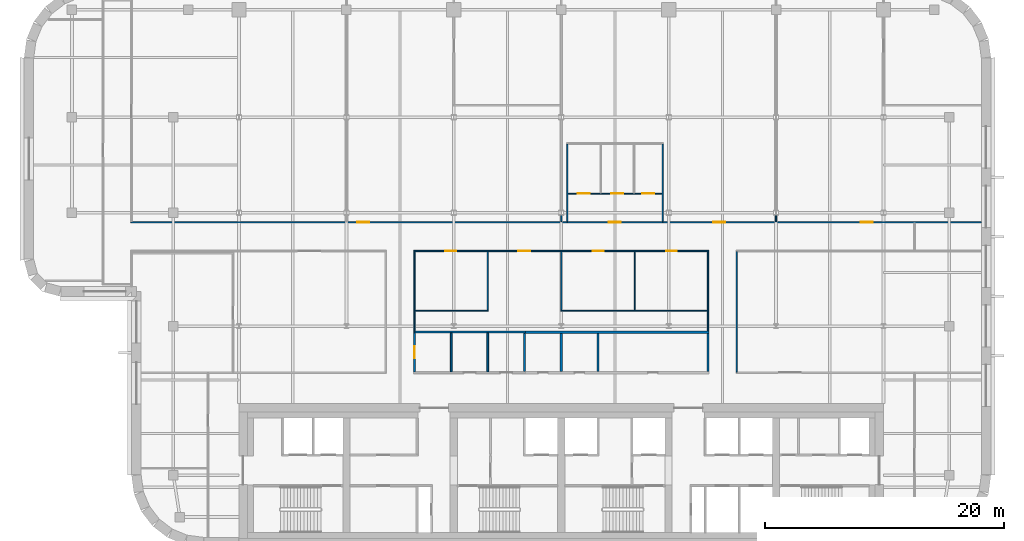
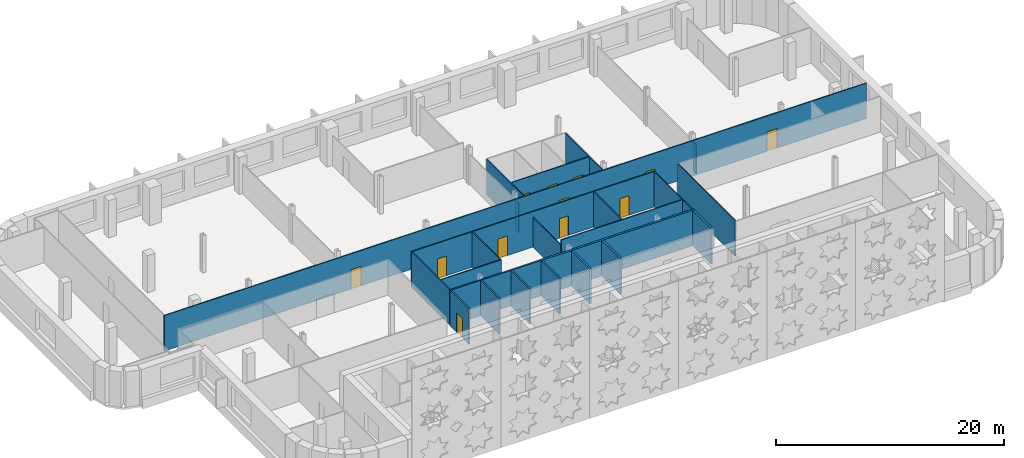
# One storey, part 9 of 17: 24 walls, 12 doors, 12 openings.
"""IFC4 building model written with IfcOpenShell, lengths in metres."""

from ifc_helpers import new_model, si_unit, direction, frame, frame_2d, origin, place, context, subcontext, project, spatial, rectangle, extrude, material, layer, layer_set, type_object, element, fill, save


model = new_model("IFC4")

# Units and contexts
model_context = context("Model", 3, precision=1e-05, world=origin(), true_north=direction((0.0, 1.0)))
body_context = subcontext(model_context, "Body", "Model", "MODEL_VIEW")
ifc_project = project(units=[si_unit("LENGTHUNIT", "METRE"), si_unit("AREAUNIT", "SQUARE_METRE"), si_unit("VOLUMEUNIT", "CUBIC_METRE"), si_unit("PLANEANGLEUNIT", "RADIAN"), si_unit("MASSUNIT", "GRAM", prefix="KILO")], contexts=[model_context])

# Site, building, storey
site_placement = place(None, origin())
site = spatial("IfcSite", under=ifc_project, at=site_placement, CompositionType="ELEMENT")
building_placement = place(site_placement, origin())
building = spatial("IfcBuilding", under=site, at=building_placement, Name="Zellij Exchange Tower", CompositionType="ELEMENT")
storey_placement = place(building_placement, frame((0.0, 0.0, 252.5)))
storey = spatial("IfcBuildingStorey", under=building, at=storey_placement, Name="L59", CompositionType="ELEMENT", Elevation=252.5)

# Walls
ifc_material_1 = material(Name="Blockwork partition", Category="masonry")
ifc_layer_1 = layer(ifc_material_1, 0.199951171875)
ifc_layer_set_1 = layer_set([ifc_layer_1], Name="Blockwork partition")
wall_type_1 = type_object("IfcWallType", Name="FIT-BLOCKWORK-200", PredefinedType="PARTITIONING", material=ifc_layer_set_1)
for number, where, z_axis, x_axis, name in (
    (1, (0.0, 0.699951171875, 0.0), (0.0, 0.0, 1.0), (0.0, 1.0, 0.0), "FIT-BLOCKWORK-200 013"),
    (2, (3.080078125, 0.699951171875, 0.0), (0.0, 0.0, 1.0), (0.0, 1.0, 0.0), "FIT-BLOCKWORK-200 014"),
    (3, (12.300048828125, 0.699951171875, 0.0), (0.0, 0.0, 1.0), (0.0, 1.0, 0.0), "FIT-BLOCKWORK-200 015"),
):
    element("IfcWall", number, at=place(storey_placement, frame(where, z_axis=z_axis, x_axis=x_axis)), inside=storey, type_object=wall_type_1, Name=name, PredefinedType="PARTITIONING", context=body_context, shape_type="SweptSolid", body=[
        extrude(rectangle(XDim=3.199951171875, YDim=0.199951171875, at=frame_2d((1.60009765625, 0.0))), origin(), (0.0, 0.0, 1.0), 3.800048828125),
    ])
wall_1_placement = place(storey_placement, frame((-3.155029296875, 4.0, 0.0), z_axis=(0.0, 0.0, 1.0), x_axis=(1.0, 0.0, 0.0)))
element("IfcWall", 4, at=wall_1_placement, inside=storey, type_object=wall_type_1, Name="FIT-BLOCKWORK-200 020", PredefinedType="PARTITIONING", context=body_context, shape_type="SweptSolid", body=[
    extrude(rectangle(XDim=15.554931640625, YDim=0.199951171875, at=frame_2d((7.77734375, 0.0))), origin(), (0.0, 0.0, 1.0), 3.800048828125),
])
ifc_material_2 = material(Name="Gypsum board partition on steel studs", Category="steel")
ifc_layer_2 = layer(ifc_material_2, 0.10009765625)
ifc_layer_set_2 = layer_set([ifc_layer_2], Name="Gypsum board partition on steel studs")
wall_type_2 = type_object("IfcWallType", Name="FIT-PARTITION-100", PredefinedType="PARTITIONING", material=ifc_layer_set_2)
wall_2_placement = place(storey_placement, frame((14.699951171875, 0.64990234375, 0.0), z_axis=(0.0, 0.0, 1.0), x_axis=(0.0, 1.0, 0.0)))
element("IfcWall", 5, at=wall_2_placement, inside=storey, type_object=wall_type_2, Name="FIT-PARTITION-100 017", PredefinedType="PARTITIONING", context=body_context, shape_type="SweptSolid", body=[
    extrude(rectangle(XDim=10.10009765625, YDim=0.10009765625, at=frame_2d((5.050048828125, 0.0))), origin(), (0.0, 0.0, 1.0), 3.800048828125),
])
wall_3_placement = place(storey_placement, frame((-12.300048828125, 4.074951171875, 0.0), z_axis=(0.0, 0.0, 1.0), x_axis=(0.0, 1.0, 0.0)))
element("IfcWall", 6, at=wall_3_placement, inside=storey, type_object=wall_type_2, Name="FIT-PARTITION-100 019", PredefinedType="PARTITIONING", context=body_context, shape_type="SweptSolid", body=[
    extrude(rectangle(XDim=6.675048828125, YDim=0.10009765625, at=frame_2d((3.33740234375, 0.0))), origin(), (0.0, 0.0, 1.0), 3.800048828125),
])
wall_4_placement = place(storey_placement, frame((12.300048828125, 4.10009765625, 0.0), z_axis=(0.0, 0.0, 1.0), x_axis=(0.0, 1.0, 0.0)))
element("IfcWall", 7, at=wall_4_placement, inside=storey, type_object=wall_type_2, Name="FIT-PARTITION-100 021", PredefinedType="PARTITIONING", context=body_context, shape_type="SweptSolid", body=[
    extrude(rectangle(XDim=6.64990234375, YDim=0.10009765625, at=frame_2d((3.324951171875, 0.0))), origin(), (0.0, 0.0, 1.0), 3.800048828125),
])
wall_5_placement = place(storey_placement, frame((-12.25, 5.800048828125, 0.0), z_axis=(0.0, 0.0, 1.0), x_axis=(1.0, 0.0, 0.0)))
element("IfcWall", 8, at=wall_5_placement, inside=storey, type_object=wall_type_2, Name="FIT-PARTITION-100 022", PredefinedType="PARTITIONING", context=body_context, shape_type="SweptSolid", body=[
    extrude(rectangle(XDim=6.14990234375, YDim=0.10009765625, at=frame_2d((3.074951171875, 0.0))), origin(), (0.0, 0.0, 1.0), 3.800048828125),
])
wall_6_placement = place(storey_placement, frame((-6.14990234375, 5.85009765625, 0.0), z_axis=(0.0, 0.0, 1.0), x_axis=(0.0, 1.0, 0.0)))
element("IfcWall", 9, at=wall_6_placement, inside=storey, type_object=wall_type_2, Name="FIT-PARTITION-100 023", PredefinedType="PARTITIONING", context=body_context, shape_type="SweptSolid", body=[
    extrude(rectangle(XDim=4.89990234375, YDim=0.10009765625, at=frame_2d((2.449951171875, 0.0))), origin(), (0.0, 0.0, 1.0), 3.800048828125),
])
wall_7_placement = place(storey_placement, frame((-0.050048828125, 5.800048828125, 0.0), z_axis=(0.0, 0.0, 1.0), x_axis=(1.0, 0.0, 0.0)))
element("IfcWall", 10, at=wall_7_placement, inside=storey, type_object=wall_type_2, Name="FIT-PARTITION-100 024", PredefinedType="PARTITIONING", context=body_context, shape_type="SweptSolid", body=[
    extrude(rectangle(XDim=12.300048828125, YDim=0.10009765625, at=frame_2d((6.14990234375, 0.0))), origin(), (0.0, 0.0, 1.0), 3.800048828125),
])
wall_8_placement = place(storey_placement, frame((0.0, 5.85009765625, 0.0), z_axis=(0.0, 0.0, 1.0), x_axis=(0.0, 1.0, 0.0)))
element("IfcWall", 11, at=wall_8_placement, inside=storey, type_object=wall_type_2, Name="FIT-PARTITION-100 025", PredefinedType="PARTITIONING", context=body_context, shape_type="SweptSolid", body=[
    extrude(rectangle(XDim=4.89990234375, YDim=0.10009765625, at=frame_2d((2.449951171875, 0.0))), origin(), (0.0, 0.0, 1.0), 3.19287109375),
])
wall_9_placement = place(storey_placement, frame((6.14990234375, 5.85009765625, 0.0), z_axis=(0.0, 0.0, 1.0), x_axis=(0.0, 1.0, 0.0)))
element("IfcWall", 12, at=wall_9_placement, inside=storey, type_object=wall_type_2, Name="FIT-PARTITION-100 026", PredefinedType="PARTITIONING", context=body_context, shape_type="SweptSolid", body=[
    extrude(rectangle(XDim=4.89990234375, YDim=0.10009765625, at=frame_2d((2.449951171875, 0.0))), origin(), (0.0, 0.0, 1.0), 3.800048828125),
])

# Wall, openings, doors
wall_10_placement = place(storey_placement, frame((-12.35009765625, 10.800048828125, 0.0), z_axis=(0.0, 0.0, 1.0), x_axis=(1.0, 0.0, 0.0)))
wall_10 = element("IfcWall", 13, at=wall_10_placement, inside=storey, type_object=wall_type_2, Name="FIT-PARTITION-100 033", PredefinedType="PARTITIONING", context=body_context, shape_type="SweptSolid", body=[
    extrude(rectangle(XDim=24.7001953125, YDim=0.10009765625, at=frame_2d((12.35009765625, 0.0))), origin(), (0.0, 0.0, 1.0), 3.800048828125),
])
opening_1_placement = place(wall_10_placement, frame((2.64990234375, 0.0, 0.0)))
opening_1 = element("IfcOpeningElement", 14, at=opening_1_placement, cuts=wall_10, Name="Opening O4D.12", PredefinedType="OPENING", context=body_context, shape_type="SweptSolid", body=[
    extrude(rectangle(XDim=0.89990234375, YDim=2.10009765625, at=frame_2d((0.449951171875, 1.050048828125))), frame((0.0, 0.06201171875, 0.0), z_axis=(0.0, -1.0, 0.0), x_axis=(1.0, 0.0, 0.0)), (0.0, 0.0, 1.0), 0.1240234375),
])
opening_2_placement = place(wall_10_placement, frame((8.75, 0.0, 0.0)))
opening_2 = element("IfcOpeningElement", 15, at=opening_2_placement, cuts=wall_10, Name="Opening O4D.13", PredefinedType="OPENING", context=body_context, shape_type="SweptSolid", body=[
    extrude(rectangle(XDim=1.0, YDim=2.10009765625, at=frame_2d((0.5, 1.050048828125))), frame((0.0, 0.06201171875, 0.0), z_axis=(0.0, -1.0, 0.0), x_axis=(1.0, 0.0, 0.0)), (0.0, 0.0, 1.0), 0.1240234375),
])
opening_3_placement = place(wall_10_placement, frame((15.0, 0.0, 0.0)))
opening_3 = element("IfcOpeningElement", 16, at=opening_3_placement, cuts=wall_10, Name="Opening O4D.14", PredefinedType="OPENING", context=body_context, shape_type="SweptSolid", body=[
    extrude(rectangle(XDim=0.89990234375, YDim=2.10009765625, at=frame_2d((0.449951171875, 1.050048828125))), frame((0.0, 0.06201171875, 0.0), z_axis=(0.0, -1.0, 0.0), x_axis=(1.0, 0.0, 0.0)), (0.0, 0.0, 1.0), 0.1240234375),
])
opening_4_placement = place(wall_10_placement, frame((21.14990234375, 0.0, 0.0)))
opening_4 = element("IfcOpeningElement", 17, at=opening_4_placement, cuts=wall_10, Name="Opening O4D.15", PredefinedType="OPENING", context=body_context, shape_type="SweptSolid", body=[
    extrude(rectangle(XDim=0.89990234375, YDim=2.10009765625, at=frame_2d((0.449951171875, 1.050048828125))), frame((0.0, 0.06201171875, 0.0), z_axis=(0.0, -1.0, 0.0), x_axis=(1.0, 0.0, 0.0)), (0.0, 0.0, 1.0), 0.1240234375),
])
ifc_material_3 = material(Name="Timber door set", Category="wood")
door_type_1 = type_object("IfcDoorType", Name="FIT-D1-ROOM-900X2100", OperationType="SINGLE_SWING_LEFT", PredefinedType="DOOR", material=ifc_material_3)
door_1_placement = place(opening_1_placement, origin())
door_1 = element("IfcDoor", 18, at=door_1_placement, inside=storey, type_object=door_type_1, Name="Door O4D.12", OperationType="SINGLE_SWING_LEFT", OverallHeight=2.10009765625, OverallWidth=0.89990234375, PredefinedType="DOOR", context=body_context, shape_type="SweptSolid", body=[
    extrude(rectangle(XDim=0.89990234375, YDim=2.10009765625, at=frame_2d((0.449951171875, 1.050048828125))), frame((0.0, 0.02490234375, 0.0), z_axis=(0.0, -1.0, 0.0), x_axis=(1.0, 0.0, 0.0)), (0.0, 0.0, 1.0), 0.050048828125),
])
fill(opening_1, door_1)
door_2_placement = place(opening_3_placement, origin())
door_2 = element("IfcDoor", 19, at=door_2_placement, inside=storey, type_object=door_type_1, Name="Door O4D.14", OperationType="SINGLE_SWING_RIGHT", OverallHeight=2.10009765625, OverallWidth=0.89990234375, PredefinedType="DOOR", context=body_context, shape_type="SweptSolid", body=[
    extrude(rectangle(XDim=0.89990234375, YDim=2.10009765625, at=frame_2d((0.449951171875, 1.050048828125))), frame((0.0, 0.02490234375, 0.0), z_axis=(0.0, -1.0, 0.0), x_axis=(1.0, 0.0, 0.0)), (0.0, 0.0, 1.0), 0.050048828125),
])
fill(opening_3, door_2)
door_3_placement = place(opening_4_placement, origin())
door_3 = element("IfcDoor", 20, at=door_3_placement, inside=storey, type_object=door_type_1, Name="Door O4D.15", OperationType="SINGLE_SWING_RIGHT", OverallHeight=2.10009765625, OverallWidth=0.89990234375, PredefinedType="DOOR", context=body_context, shape_type="SweptSolid", body=[
    extrude(rectangle(XDim=0.89990234375, YDim=2.10009765625, at=frame_2d((0.449951171875, 1.050048828125))), frame((0.0, 0.02490234375, 0.0), z_axis=(0.0, -1.0, 0.0), x_axis=(1.0, 0.0, 0.0)), (0.0, 0.0, 1.0), 0.050048828125),
])
fill(opening_4, door_3)
door_type_2 = type_object("IfcDoorType", Name="FIT-D2-WIDE-1000X2100", OperationType="SINGLE_SWING_LEFT", PredefinedType="DOOR", material=ifc_material_3)
door_4_placement = place(opening_2_placement, origin())
door_4 = element("IfcDoor", 21, at=door_4_placement, inside=storey, type_object=door_type_2, Name="Door O4D.13", OperationType="SINGLE_SWING_LEFT", OverallHeight=2.10009765625, OverallWidth=1.0, PredefinedType="DOOR", context=body_context, shape_type="SweptSolid", body=[
    extrude(rectangle(XDim=1.0, YDim=2.10009765625, at=frame_2d((0.5, 1.050048828125))), frame((0.0, 0.02490234375, 0.0), z_axis=(0.0, -1.0, 0.0), x_axis=(1.0, 0.0, 0.0)), (0.0, 0.0, 1.0), 0.050048828125),
])
fill(opening_2, door_4)

wall_11_placement = place(storey_placement, frame((-36.050048828125, 13.199951171875, 0.0), z_axis=(0.0, 0.0, 1.0), x_axis=(1.0, 0.0, 0.0)))
wall_11 = element("IfcWall", 22, at=wall_11_placement, inside=storey, type_object=wall_type_2, Name="FIT-PARTITION-100 036", PredefinedType="PARTITIONING", context=body_context, shape_type="SweptSolid", body=[
    extrude(rectangle(XDim=71.25, YDim=0.10009765625, at=frame_2d((35.625, 0.0))), origin(), (0.0, 0.0, 1.0), 3.800048828125),
])
opening_5_placement = place(wall_11_placement, frame((18.949951171875, 0.0, 0.0)))
opening_5 = element("IfcOpeningElement", 23, at=opening_5_placement, cuts=wall_11, Name="Opening O4D.16", PredefinedType="OPENING", context=body_context, shape_type="SweptSolid", body=[
    extrude(rectangle(XDim=1.0, YDim=2.10009765625, at=frame_2d((0.5, 1.050048828125))), frame((0.0, 0.06201171875, 0.0), z_axis=(0.0, -1.0, 0.0), x_axis=(1.0, 0.0, 0.0)), (0.0, 0.0, 1.0), 0.1240234375),
])
opening_6_placement = place(wall_11_placement, frame((40.050048828125, 0.0, 0.0)))
opening_6 = element("IfcOpeningElement", 24, at=opening_6_placement, cuts=wall_11, Name="Opening O4D.17", PredefinedType="OPENING", context=body_context, shape_type="SweptSolid", body=[
    extrude(rectangle(XDim=1.0, YDim=2.10009765625, at=frame_2d((0.5, 1.050048828125))), frame((0.0, 0.06201171875, 0.0), z_axis=(0.0, -1.0, 0.0), x_axis=(1.0, 0.0, 0.0)), (0.0, 0.0, 1.0), 0.1240234375),
])
opening_7_placement = place(wall_11_placement, frame((48.800048828125, 0.0, 0.0)))
opening_7 = element("IfcOpeningElement", 25, at=opening_7_placement, cuts=wall_11, Name="Opening O4D.18", PredefinedType="OPENING", context=body_context, shape_type="SweptSolid", body=[
    extrude(rectangle(XDim=1.0, YDim=2.10009765625, at=frame_2d((0.5, 1.050048828125))), frame((0.0, 0.06201171875, 0.0), z_axis=(0.0, -1.0, 0.0), x_axis=(1.0, 0.0, 0.0)), (0.0, 0.0, 1.0), 0.1240234375),
])
opening_8_placement = place(wall_11_placement, frame((61.14990234375, 0.0, 0.0)))
opening_8 = element("IfcOpeningElement", 26, at=opening_8_placement, cuts=wall_11, Name="Opening O4D.19", PredefinedType="OPENING", context=body_context, shape_type="SweptSolid", body=[
    extrude(rectangle(XDim=1.0, YDim=2.10009765625, at=frame_2d((0.5, 1.050048828125))), frame((0.0, 0.06201171875, 0.0), z_axis=(0.0, -1.0, 0.0), x_axis=(1.0, 0.0, 0.0)), (0.0, 0.0, 1.0), 0.1240234375),
])
door_5_placement = place(opening_5_placement, origin())
door_5 = element("IfcDoor", 27, at=door_5_placement, inside=storey, type_object=door_type_2, Name="Door O4D.16", OperationType="SINGLE_SWING_RIGHT", OverallHeight=2.10009765625, OverallWidth=1.0, PredefinedType="DOOR", context=body_context, shape_type="SweptSolid", body=[
    extrude(rectangle(XDim=1.0, YDim=2.10009765625, at=frame_2d((0.5, 1.050048828125))), frame((0.0, 0.02490234375, 0.0), z_axis=(0.0, -1.0, 0.0), x_axis=(1.0, 0.0, 0.0)), (0.0, 0.0, 1.0), 0.050048828125),
])
fill(opening_5, door_5)
door_6_placement = place(opening_6_placement, origin())
door_6 = element("IfcDoor", 28, at=door_6_placement, inside=storey, type_object=door_type_2, Name="Door O4D.17", OperationType="SINGLE_SWING_RIGHT", OverallHeight=2.10009765625, OverallWidth=1.0, PredefinedType="DOOR", context=body_context, shape_type="SweptSolid", body=[
    extrude(rectangle(XDim=1.0, YDim=2.10009765625, at=frame_2d((0.5, 1.050048828125))), frame((0.0, 0.02490234375, 0.0), z_axis=(0.0, -1.0, 0.0), x_axis=(1.0, 0.0, 0.0)), (0.0, 0.0, 1.0), 0.050048828125),
])
fill(opening_6, door_6)
door_7_placement = place(opening_7_placement, origin())
door_7 = element("IfcDoor", 29, at=door_7_placement, inside=storey, type_object=door_type_2, Name="Door O4D.18", OperationType="SINGLE_SWING_RIGHT", OverallHeight=2.10009765625, OverallWidth=1.0, PredefinedType="DOOR", context=body_context, shape_type="SweptSolid", body=[
    extrude(rectangle(XDim=1.0, YDim=2.10009765625, at=frame_2d((0.5, 1.050048828125))), frame((0.0, 0.02490234375, 0.0), z_axis=(0.0, -1.0, 0.0), x_axis=(1.0, 0.0, 0.0)), (0.0, 0.0, 1.0), 0.050048828125),
])
fill(opening_7, door_7)
door_8_placement = place(opening_8_placement, origin())
door_8 = element("IfcDoor", 30, at=door_8_placement, inside=storey, type_object=door_type_2, Name="Door O4D.19", OperationType="SINGLE_SWING_LEFT", OverallHeight=2.10009765625, OverallWidth=1.0, PredefinedType="DOOR", context=body_context, shape_type="SweptSolid", body=[
    extrude(rectangle(XDim=1.0, YDim=2.10009765625, at=frame_2d((0.5, 1.050048828125))), frame((0.0, 0.02490234375, 0.0), z_axis=(0.0, -1.0, 0.0), x_axis=(1.0, 0.0, 0.0)), (0.0, 0.0, 1.0), 0.050048828125),
])
fill(opening_8, door_8)

# Walls
wall_12_placement = place(storey_placement, frame((0.0, 13.25, 0.0), z_axis=(0.0, 0.0, 1.0), x_axis=(0.0, 1.0, 0.0)))
element("IfcWall", 31, at=wall_12_placement, inside=storey, type_object=wall_type_2, Name="FIT-PARTITION-100 042", PredefinedType="PARTITIONING", context=body_context, shape_type="SweptSolid", body=[
    extrude(rectangle(XDim=0.556884765625, YDim=0.10009765625, at=frame_2d((0.2783203125, 0.0))), origin(), (0.0, 0.0, 1.0), 3.19287109375),
])
for number, where, z_axis, x_axis, name in (
    (32, (0.5, 13.25, 0.0), (0.0, 0.0, 1.0), (0.0, 1.0, 0.0), "FIT-PARTITION-100 046"),
    (33, (8.5, 13.25, 0.0), (0.0, 0.0, 1.0), (0.0, 1.0, 0.0), "FIT-PARTITION-100 047"),
):
    element("IfcWall", number, at=place(storey_placement, frame(where, z_axis=z_axis, x_axis=x_axis)), inside=storey, type_object=wall_type_2, Name=name, PredefinedType="PARTITIONING", context=body_context, shape_type="SweptSolid", body=[
        extrude(rectangle(XDim=6.5, YDim=0.10009765625, at=frame_2d((3.25, 0.0))), origin(), (0.0, 0.0, 1.0), 3.800048828125),
    ])
wall_13_placement = place(storey_placement, frame((18.0, 13.25, 0.0), z_axis=(0.0, 0.0, 1.0), x_axis=(0.0, 1.0, 0.0)))
element("IfcWall", 34, at=wall_13_placement, inside=storey, type_object=wall_type_2, Name="FIT-PARTITION-100 048", PredefinedType="PARTITIONING", context=body_context, shape_type="SweptSolid", body=[
    extrude(rectangle(XDim=0.556884765625, YDim=0.10009765625, at=frame_2d((0.2783203125, 0.0))), origin(), (0.0, 0.0, 1.0), 3.19287109375),
])

# Wall, openings, doors
wall_14_placement = place(storey_placement, frame((0.550048828125, 15.60009765625, 0.0), z_axis=(0.0, 0.0, 1.0), x_axis=(1.0, 0.0, 0.0)))
wall_14 = element("IfcWall", 35, at=wall_14_placement, inside=storey, type_object=wall_type_2, Name="FIT-PARTITION-100 052", PredefinedType="PARTITIONING", context=body_context, shape_type="SweptSolid", body=[
    extrude(rectangle(XDim=7.89990234375, YDim=0.10009765625, at=frame_2d((3.949951171875, 0.0))), origin(), (0.0, 0.0, 1.0), 3.800048828125),
])
opening_9_placement = place(wall_14_placement, frame((0.85009765625, 0.0, 0.0)))
opening_9 = element("IfcOpeningElement", 36, at=opening_9_placement, cuts=wall_14, Name="Opening O4D.20", PredefinedType="OPENING", context=body_context, shape_type="SweptSolid", body=[
    extrude(rectangle(XDim=1.0, YDim=2.10009765625, at=frame_2d((0.5, 1.050048828125))), frame((0.0, 0.06201171875, 0.0), z_axis=(0.0, -1.0, 0.0), x_axis=(1.0, 0.0, 0.0)), (0.0, 0.0, 1.0), 0.1240234375),
])
opening_10_placement = place(wall_14_placement, frame((3.64990234375, 0.0, 0.0)))
opening_10 = element("IfcOpeningElement", 37, at=opening_10_placement, cuts=wall_14, Name="Opening O4D.21", PredefinedType="OPENING", context=body_context, shape_type="SweptSolid", body=[
    extrude(rectangle(XDim=1.0, YDim=2.10009765625, at=frame_2d((0.5, 1.050048828125))), frame((0.0, 0.06201171875, 0.0), z_axis=(0.0, -1.0, 0.0), x_axis=(1.0, 0.0, 0.0)), (0.0, 0.0, 1.0), 0.1240234375),
])
opening_11_placement = place(wall_14_placement, frame((6.25, 0.0, 0.0)))
opening_11 = element("IfcOpeningElement", 38, at=opening_11_placement, cuts=wall_14, Name="Opening O4D.22", PredefinedType="OPENING", context=body_context, shape_type="SweptSolid", body=[
    extrude(rectangle(XDim=1.0, YDim=2.10009765625, at=frame_2d((0.5, 1.050048828125))), frame((0.0, 0.06201171875, 0.0), z_axis=(0.0, -1.0, 0.0), x_axis=(1.0, 0.0, 0.0)), (0.0, 0.0, 1.0), 0.1240234375),
])
door_9_placement = place(opening_9_placement, origin())
door_9 = element("IfcDoor", 39, at=door_9_placement, inside=storey, type_object=door_type_2, Name="Door O4D.20", OperationType="SINGLE_SWING_RIGHT", OverallHeight=2.10009765625, OverallWidth=1.0, PredefinedType="DOOR", context=body_context, shape_type="SweptSolid", body=[
    extrude(rectangle(XDim=1.0, YDim=2.10009765625, at=frame_2d((0.5, 1.050048828125))), frame((0.0, 0.02490234375, 0.0), z_axis=(0.0, -1.0, 0.0), x_axis=(1.0, 0.0, 0.0)), (0.0, 0.0, 1.0), 0.050048828125),
])
fill(opening_9, door_9)
door_10_placement = place(opening_10_placement, origin())
door_10 = element("IfcDoor", 40, at=door_10_placement, inside=storey, type_object=door_type_2, Name="Door O4D.21", OperationType="SINGLE_SWING_LEFT", OverallHeight=2.10009765625, OverallWidth=1.0, PredefinedType="DOOR", context=body_context, shape_type="SweptSolid", body=[
    extrude(rectangle(XDim=1.0, YDim=2.10009765625, at=frame_2d((0.5, 1.050048828125))), frame((0.0, 0.02490234375, 0.0), z_axis=(0.0, -1.0, 0.0), x_axis=(1.0, 0.0, 0.0)), (0.0, 0.0, 1.0), 0.050048828125),
])
fill(opening_10, door_10)
door_11_placement = place(opening_11_placement, origin())
door_11 = element("IfcDoor", 41, at=door_11_placement, inside=storey, type_object=door_type_2, Name="Door O4D.22", OperationType="SINGLE_SWING_RIGHT", OverallHeight=2.10009765625, OverallWidth=1.0, PredefinedType="DOOR", context=body_context, shape_type="SweptSolid", body=[
    extrude(rectangle(XDim=1.0, YDim=2.10009765625, at=frame_2d((0.5, 1.050048828125))), frame((0.0, 0.02490234375, 0.0), z_axis=(0.0, -1.0, 0.0), x_axis=(1.0, 0.0, 0.0)), (0.0, 0.0, 1.0), 0.050048828125),
])
fill(opening_11, door_11)

# Wall, opening, door
ifc_material_4 = material(Name="Gypsum board shaft-wall partition", Category="gypsum")
ifc_layer_3 = layer(ifc_material_4, 0.14990234375)
ifc_layer_set_3 = layer_set([ifc_layer_3], Name="Gypsum board shaft-wall partition")
wall_type_3 = type_object("IfcWallType", Name="FIT-PARTITION-150-EI60", PredefinedType="PARTITIONING", material=ifc_layer_set_3)
wall_15_placement = place(storey_placement, frame((-12.300048828125, 0.675048828125, 0.0), z_axis=(0.0, 0.0, 1.0), x_axis=(0.0, 1.0, 0.0)))
wall_15 = element("IfcWall", 42, at=wall_15_placement, inside=storey, type_object=wall_type_3, Name="FIT-PARTITION-150-EI60 008", PredefinedType="PARTITIONING", context=body_context, shape_type="SweptSolid", body=[
    extrude(rectangle(XDim=3.25, YDim=0.14990234375, at=frame_2d((1.625, 0.0))), origin(), (0.0, 0.0, 1.0), 3.800048828125),
])
opening_12_placement = place(wall_15_placement, frame((1.125, 0.0, 0.0)))
opening_12 = element("IfcOpeningElement", 43, at=opening_12_placement, cuts=wall_15, Name="Opening O4D.09", PredefinedType="OPENING", context=body_context, shape_type="SweptSolid", body=[
    extrude(rectangle(XDim=1.0, YDim=2.10009765625, at=frame_2d((0.5, 1.050048828125))), frame((0.0, 0.0869140625, 0.0), z_axis=(0.0, -1.0, 0.0), x_axis=(1.0, 0.0, 0.0)), (0.0, 0.0, 1.0), 0.173828125),
])
ifc_material_5 = material(Name="Steel fire door set", Category="steel")
door_type_3 = type_object("IfcDoorType", Name="FIT-D4-FIRE-1000X2100", OperationType="SINGLE_SWING_LEFT", PredefinedType="DOOR", material=ifc_material_5)
door_12_placement = place(opening_12_placement, origin())
door_12 = element("IfcDoor", 44, at=door_12_placement, inside=storey, type_object=door_type_3, Name="Door O4D.09", OperationType="SINGLE_SWING_RIGHT", OverallHeight=2.10009765625, OverallWidth=1.0, PredefinedType="DOOR", context=body_context, shape_type="SweptSolid", body=[
    extrude(rectangle(XDim=1.0, YDim=2.10009765625, at=frame_2d((0.5, 1.050048828125))), frame((0.0, 0.02490234375, 0.0), z_axis=(0.0, -1.0, 0.0), x_axis=(1.0, 0.0, 0.0)), (0.0, 0.0, 1.0), 0.050048828125),
])
fill(opening_12, door_12)

# Walls
for number, where, z_axis, x_axis, name in (
    (45, (-9.219970703125, 0.675048828125, 0.0), (0.0, 0.0, 1.0), (0.0, 1.0, 0.0), "FIT-PARTITION-150-EI60 009"),
    (46, (-6.14990234375, 0.675048828125, 0.0), (0.0, 0.0, 1.0), (0.0, 1.0, 0.0), "FIT-PARTITION-150-EI60 010"),
):
    element("IfcWall", number, at=place(storey_placement, frame(where, z_axis=z_axis, x_axis=x_axis)), inside=storey, type_object=wall_type_3, Name=name, PredefinedType="PARTITIONING", context=body_context, shape_type="SweptSolid", body=[
        extrude(rectangle(XDim=3.25, YDim=0.14990234375, at=frame_2d((1.625, 0.0))), origin(), (0.0, 0.0, 1.0), 3.800048828125),
    ])
wall_16_placement = place(storey_placement, frame((-3.080078125, 0.699951171875, 0.0), z_axis=(0.0, 0.0, 1.0), x_axis=(0.0, 1.0, 0.0)))
element("IfcWall", 47, at=wall_16_placement, inside=storey, type_object=wall_type_3, Name="FIT-PARTITION-150-EI60 012", PredefinedType="PARTITIONING", context=body_context, shape_type="SweptSolid", body=[
    extrude(rectangle(XDim=3.199951171875, YDim=0.14990234375, at=frame_2d((1.60009765625, 0.0))), origin(), (0.0, 0.0, 1.0), 3.800048828125),
])
wall_17_placement = place(storey_placement, frame((-12.375, 4.0, 0.0), z_axis=(0.0, 0.0, 1.0), x_axis=(1.0, 0.0, 0.0)))
element("IfcWall", 48, at=wall_17_placement, inside=storey, type_object=wall_type_3, Name="FIT-PARTITION-150-EI60 018", PredefinedType="PARTITIONING", context=body_context, shape_type="SweptSolid", body=[
    extrude(rectangle(XDim=9.3701171875, YDim=0.14990234375, at=frame_2d((4.68505859375, 0.0))), origin(), (0.0, 0.0, 1.0), 3.800048828125),
])

save(model, "model.ifc")
